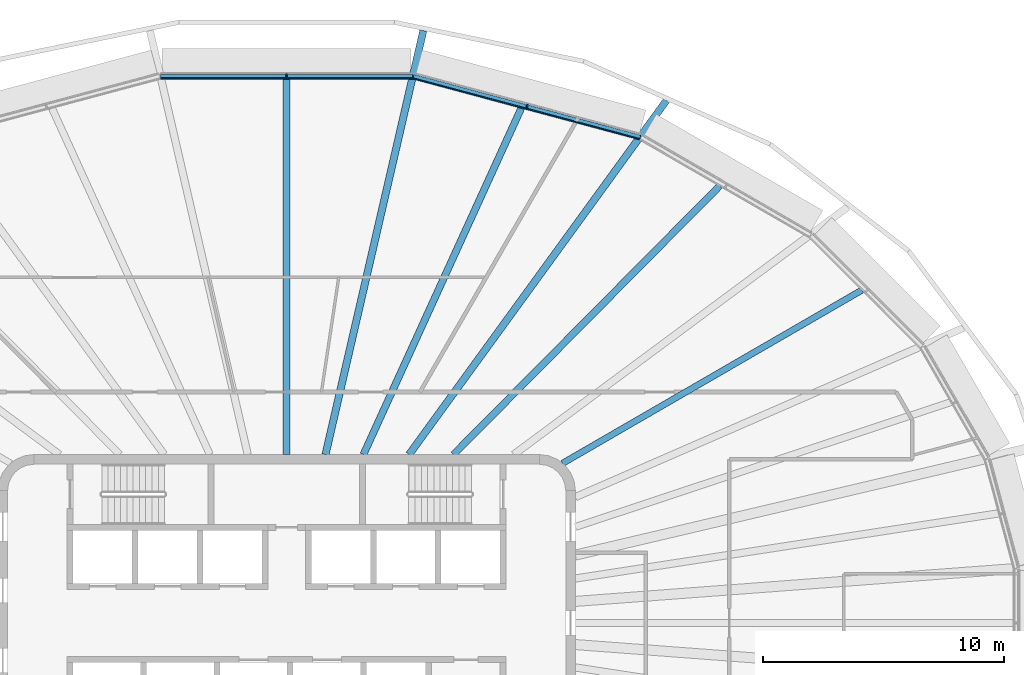
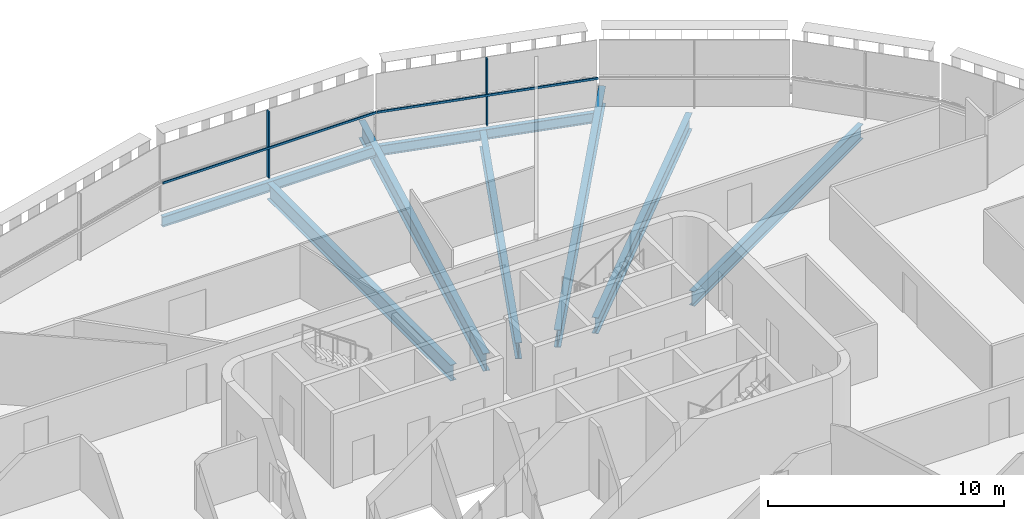
# One storey, part 6 of 19: 8 beams, 4 members, 2 elements without a shape of their own.
"""IFC4 building model written with IfcOpenShell, lengths in metres."""

from ifc_helpers import new_model, si_unit, direction, frame, origin, origin_2d, place, context, subcontext, project, spatial, rectangle, i_section, extrude, material, layer, layer_set, material_profile, profile_set, type_object, element, aggregate, save


model = new_model("IFC4")

# Units and contexts
model_context = context("Model", 3, precision=1e-05, world=origin(), true_north=direction((0.0, 1.0)))
body_context = subcontext(model_context, "Body", "Model", "MODEL_VIEW")
ifc_project = project(units=[si_unit("LENGTHUNIT", "METRE"), si_unit("AREAUNIT", "SQUARE_METRE"), si_unit("VOLUMEUNIT", "CUBIC_METRE"), si_unit("PLANEANGLEUNIT", "RADIAN"), si_unit("MASSUNIT", "GRAM", prefix="KILO")], contexts=[model_context])

# Site, building, storey
site_placement = place(None, origin())
site = spatial("IfcSite", under=ifc_project, at=site_placement, CompositionType="ELEMENT")
building_placement = place(site_placement, origin())
building = spatial("IfcBuilding", under=site, at=building_placement, Name="Sahrelin Media Tower", CompositionType="ELEMENT")
storey_placement = place(building_placement, frame((0.0, 0.0, 241.60009765625)))
storey = spatial("IfcBuildingStorey", under=building, at=storey_placement, Name="L52", CompositionType="ELEMENT", Elevation=241.60009765625)

# Beams
ifc_material_1 = material(Name="Steel S355", Category="steel")
ifc_material_profile_1 = material_profile(ifc_material_1, i_section(OverallWidth=0.208740234375, OverallDepth=0.5283203125, WebThickness=0.009521484375, FlangeThickness=0.01318359375, FilletRadius=0.0126953125, at=origin_2d()), Name="UB 533x210x82")
ifc_profile_set_1 = profile_set([ifc_material_profile_1], Name="Steel S355")
beam_type_1 = type_object("IfcBeamType", Name="Edge beam EB6", PredefinedType="BEAM", material=ifc_profile_set_1)
beam_1_placement = place(storey_placement, frame((-5.239013671875, 22.699951171875, -0.414306640625), z_axis=(1.0, 0.0, 0.0), x_axis=(0.0, 1.0, 0.0)))
element("IfcBeam", 1, at=beam_1_placement, inside=storey, type_object=beam_type_1, Name="Edge beam L52-19", PredefinedType="BEAM", context=body_context, shape_type="SweptSolid", body=[
    extrude(i_section(OverallWidth=0.208740234375, OverallDepth=0.5283203125, WebThickness=0.009521484375, FlangeThickness=0.01318359375, FilletRadius=0.0126953125, at=origin_2d()), origin(), (0.0, 0.0, 1.0), 10.47802734375),
])
beam_2_placement = place(storey_placement, frame((5.267578125, 22.6962890625, -0.414306640625), z_axis=(0.965922692081, -0.258830741845, 0.0), x_axis=(0.258830741845, 0.965922692081, 0.0)))
element("IfcBeam", 2, at=beam_2_placement, inside=storey, type_object=beam_type_1, Name="Edge beam L52-20", PredefinedType="BEAM", context=body_context, shape_type="SweptSolid", body=[
    extrude(i_section(OverallWidth=0.208740234375, OverallDepth=0.5283203125, WebThickness=0.009521484375, FlangeThickness=0.01318359375, FilletRadius=0.0126953125, at=origin_2d()), origin(), (0.0, 0.0, 1.0), 9.755126953125),
])

# Curtain wall, member
ifc_material_2 = material(Name="Champagne anodised aluminium 6063-T6", Category="aluminium")
ifc_layer = layer(ifc_material_2, 0.14990234375)
ifc_layer_set = layer_set([ifc_layer], Name="Tower ribbon curtain wall")
curtain_wall_type = type_object("IfcCurtainWallType", Name="Tower ribbon curtain wall", PredefinedType="NOTDEFINED", material=ifc_layer_set)
curtain_wall_1_placement = place(storey_placement, frame((10.017578125, 21.57861328125, 0.0), z_axis=(0.0, 0.0, 1.0), x_axis=(1.0, 0.0, 0.0)))
curtain_wall_1 = element("IfcCurtainWall", 3, at=curtain_wall_1_placement, inside=storey, type_object=curtain_wall_type, Name="L52:CW:L52-05", PredefinedType="NOTDEFINED")
ifc_material_profile_2 = material_profile(ifc_material_2, rectangle(XDim=0.06005859375, YDim=0.175048828125, at=origin_2d()), Name="Mullion 60x175")
ifc_profile_set_2 = profile_set([ifc_material_profile_2], Name="Champagne anodised aluminium 6063-T6")
member_type_1 = type_object("IfcMemberType", Name="Mullion 60x175 CW1B", PredefinedType="MULLION", material=ifc_profile_set_2)
member_1_placement = place(storey_placement, frame((9.98974609375, 21.474853515625, 0.0), z_axis=(0.0, 0.0, 1.0), x_axis=(-0.965925374563, 0.258820730961, 0.0)))
member_1 = element("IfcMember", 4, at=member_1_placement, type_object=member_type_1, Name="L52:CWM:L52-05", PredefinedType="MULLION", context=body_context, shape_type="SweptSolid", body=[
    extrude(rectangle(XDim=0.06005859375, YDim=0.175048828125, at=origin_2d()), origin(), (0.0, 0.0, 1.0), 3.448486328125),
])

curtain_wall_2_placement = place(storey_placement, frame((0.0, 22.85009765625, 0.0), z_axis=(0.0, 0.0, 1.0), x_axis=(1.0, 0.0, 0.0)))
curtain_wall_2 = element("IfcCurtainWall", 5, at=curtain_wall_2_placement, inside=storey, type_object=curtain_wall_type, Name="L52:CW:L52-06", PredefinedType="NOTDEFINED")
member_2_placement = place(storey_placement, frame((0.0, 22.742431640625, 0.0), z_axis=(0.0, 0.0, 1.0), x_axis=(-1.0, 0.0, 0.0)))
member_2 = element("IfcMember", 6, at=member_2_placement, type_object=member_type_1, Name="L52:CWM:L52-06", PredefinedType="MULLION", context=body_context, shape_type="SweptSolid", body=[
    extrude(rectangle(XDim=0.06005859375, YDim=0.175048828125, at=origin_2d()), origin(), (0.0, 0.0, 1.0), 3.448486328125),
])

# Beams
ifc_material_profile_3 = material_profile(ifc_material_1, i_section(OverallWidth=0.30322265625, OverallDepth=0.903076171875, WebThickness=0.01513671875, FlangeThickness=0.020263671875, FilletRadius=0.01904296875, at=origin_2d()), Name="UB 914x305x201")
ifc_profile_set_3 = profile_set([ifc_material_profile_3], Name="Steel S355")
beam_type_2 = type_object("IfcBeamType", Name="Radial primary beam PB11", PredefinedType="BEAM", material=ifc_profile_set_3)
beam_3_placement = place(storey_placement, frame((5.08837890625, 7.0, -0.6015625), z_axis=(0.587989674537, 0.808868433453, 0.0), x_axis=(-0.808868433453, 0.587989674537, 0.0)))
element("IfcBeam", 7, at=beam_3_placement, inside=storey, type_object=beam_type_2, Name="Radial beam L52-05", PredefinedType="BEAM", context=body_context, shape_type="SweptSolid", body=[
    extrude(i_section(OverallWidth=0.30322265625, OverallDepth=0.903076171875, WebThickness=0.01513671875, FlangeThickness=0.020263671875, FilletRadius=0.01904296875, at=origin_2d()), origin(), (0.0, 0.0, 1.0), 18.1845703125),
])
beam_4_placement = place(storey_placement, frame((1.615478515625, 7.0, -0.6015625), z_axis=(0.224863451121, 0.974390285435, 0.0), x_axis=(-0.974390285435, 0.224863451121, 0.0)))
element("IfcBeam", 8, at=beam_4_placement, inside=storey, type_object=beam_type_2, Name="Radial beam L52-06", PredefinedType="BEAM", context=body_context, shape_type="SweptSolid", body=[
    extrude(i_section(OverallWidth=0.30322265625, OverallDepth=0.903076171875, WebThickness=0.01513671875, FlangeThickness=0.020263671875, FilletRadius=0.01904296875, at=origin_2d()), origin(), (0.0, 0.0, 1.0), 18.081787109375),
])
ifc_material_profile_4 = material_profile(ifc_material_1, i_section(OverallWidth=0.291748046875, OverallDepth=0.8349609375, WebThickness=0.013916015625, FlangeThickness=0.018798828125, FilletRadius=0.017822265625, at=origin_2d()), Name="UB 838x292x176")
ifc_profile_set_4 = profile_set([ifc_material_profile_4], Name="Steel S355")
beam_type_3 = type_object("IfcBeamType", Name="Radial secondary beam SB10", PredefinedType="BEAM", material=ifc_profile_set_4)
beam_5_placement = place(storey_placement, frame((6.934326171875, 7.0, -0.567626953125), z_axis=(0.70375757682, 0.710440196687, 0.0), x_axis=(-0.710440196687, 0.70375757682, 0.0)))
element("IfcBeam", 9, at=beam_5_placement, inside=storey, type_object=beam_type_3, Name="Secondary beam L52-04", PredefinedType="BEAM", context=body_context, shape_type="SweptSolid", body=[
    extrude(i_section(OverallWidth=0.291748046875, OverallDepth=0.8349609375, WebThickness=0.013916015625, FlangeThickness=0.018798828125, FilletRadius=0.017822265625, at=origin_2d()), origin(), (0.0, 0.0, 1.0), 15.70947265625),
])
beam_6_placement = place(storey_placement, frame((3.19091796875, 7.0, -0.567626953125), z_axis=(0.414752003644, 0.90993448966, 0.0), x_axis=(-0.90993448966, 0.414752003644, 0.0)))
element("IfcBeam", 10, at=beam_6_placement, inside=storey, type_object=beam_type_3, Name="Secondary beam L52-05", PredefinedType="BEAM", context=body_context, shape_type="SweptSolid", body=[
    extrude(i_section(OverallWidth=0.291748046875, OverallDepth=0.8349609375, WebThickness=0.013916015625, FlangeThickness=0.018798828125, FilletRadius=0.017822265625, at=origin_2d()), origin(), (0.0, 0.0, 1.0), 15.8115234375),
])
beam_7_placement = place(storey_placement, frame((0.0, 7.0, -0.567626953125), z_axis=(0.0, 1.0, 0.0), x_axis=(-1.0, 0.0, 0.0)))
element("IfcBeam", 11, at=beam_7_placement, inside=storey, type_object=beam_type_3, Name="Secondary beam L52-06", PredefinedType="BEAM", context=body_context, shape_type="SweptSolid", body=[
    extrude(i_section(OverallWidth=0.291748046875, OverallDepth=0.8349609375, WebThickness=0.013916015625, FlangeThickness=0.018798828125, FilletRadius=0.017822265625, at=origin_2d()), origin(), (0.0, 0.0, 1.0), 15.595703125),
])
ifc_material_profile_5 = material_profile(ifc_material_1, i_section(OverallWidth=0.26513671875, OverallDepth=0.75390625, WebThickness=0.0126953125, FlangeThickness=0.017578125, FilletRadius=0.0166015625, at=origin_2d()), Name="UB 762x267x147")
ifc_profile_set_5 = profile_set([ifc_material_profile_5], Name="Steel S355")
beam_type_4 = type_object("IfcBeamType", Name="Radial secondary beam SB9", PredefinedType="BEAM", material=ifc_profile_set_5)
beam_8_placement = place(storey_placement, frame((11.465087890625, 6.634033203125, -0.527099609375), z_axis=(0.865540628134, 0.500838717602, 0.0), x_axis=(-0.500838717602, 0.865540628134, 0.0)))
element("IfcBeam", 12, at=beam_8_placement, inside=storey, type_object=beam_type_4, Name="Secondary beam L52-03", PredefinedType="BEAM", context=body_context, shape_type="SweptSolid", body=[
    extrude(i_section(OverallWidth=0.26513671875, OverallDepth=0.75390625, WebThickness=0.0126953125, FlangeThickness=0.017578125, FilletRadius=0.0166015625, at=origin_2d()), origin(), (0.0, 0.0, 1.0), 14.371826171875),
])

# Member
ifc_material_profile_6 = material_profile(ifc_material_2, rectangle(XDim=0.050048828125, YDim=0.110107421875, at=origin_2d()), Name="Transom 50x110")
ifc_profile_set_6 = profile_set([ifc_material_profile_6], Name="Champagne anodised aluminium 6063-T6")
member_type_2 = type_object("IfcMemberType", Name="Transom 50x110 CW1B", PredefinedType="USERDEFINED", material=ifc_profile_set_6)
member_3_placement = place(storey_placement, frame((14.65673828125, 20.10791015625, 1.599853515625), z_axis=(-0.965925860392, 0.25881891783, 0.0), x_axis=(-0.25881891783, -0.965925860392, 0.0)))
member_3 = element("IfcMember", 13, at=member_3_placement, type_object=member_type_2, Name="L52:CWT:L52-05", ObjectType="TRANSOM", PredefinedType="USERDEFINED", context=body_context, shape_type="SweptSolid", body=[
    extrude(rectangle(XDim=0.050048828125, YDim=0.110107421875, at=origin_2d()), origin(), (0.0, 0.0, 1.0), 9.723388671875),
])

aggregate(curtain_wall_1, [member_1, member_3])

member_4_placement = place(storey_placement, frame((5.223388671875, 22.6298828125, 1.599853515625), z_axis=(-1.0, 0.0, 0.0), x_axis=(0.0, -1.0, 0.0)))
member_4 = element("IfcMember", 14, at=member_4_placement, type_object=member_type_2, Name="L52:CWT:L52-06", ObjectType="TRANSOM", PredefinedType="USERDEFINED", context=body_context, shape_type="SweptSolid", body=[
    extrude(rectangle(XDim=0.050048828125, YDim=0.110107421875, at=origin_2d()), origin(), (0.0, 0.0, 1.0), 10.44677734375),
])

aggregate(curtain_wall_2, [member_2, member_4])

save(model, "model.ifc")
